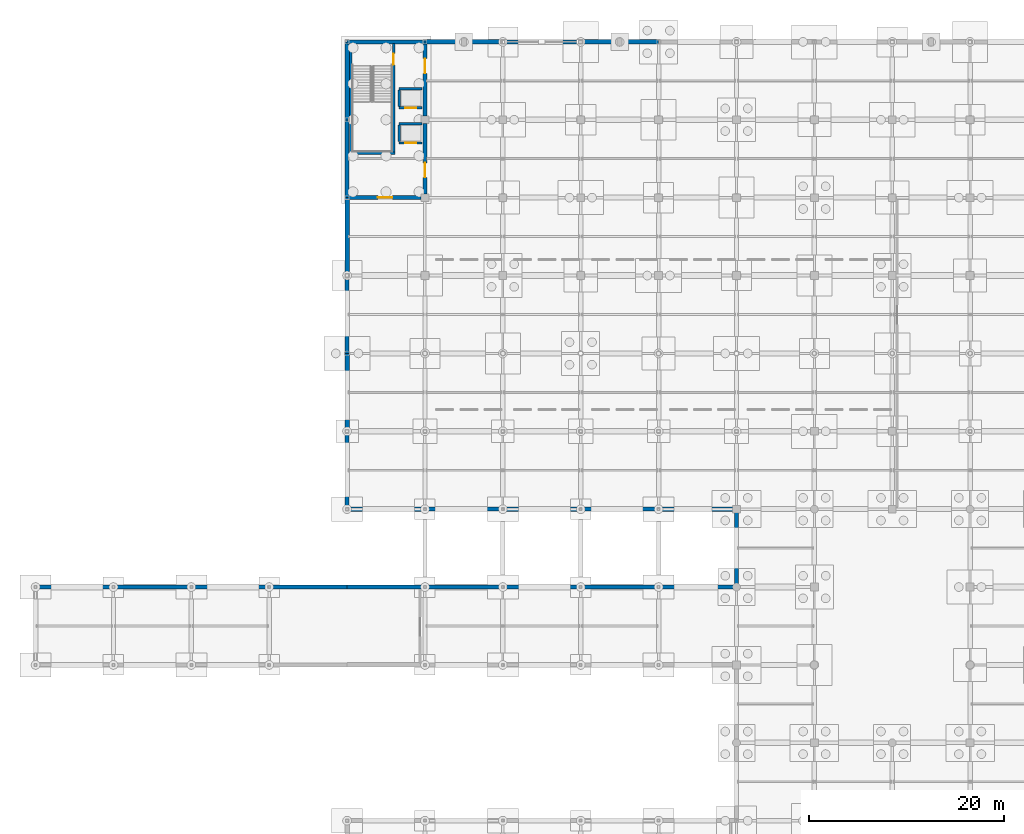
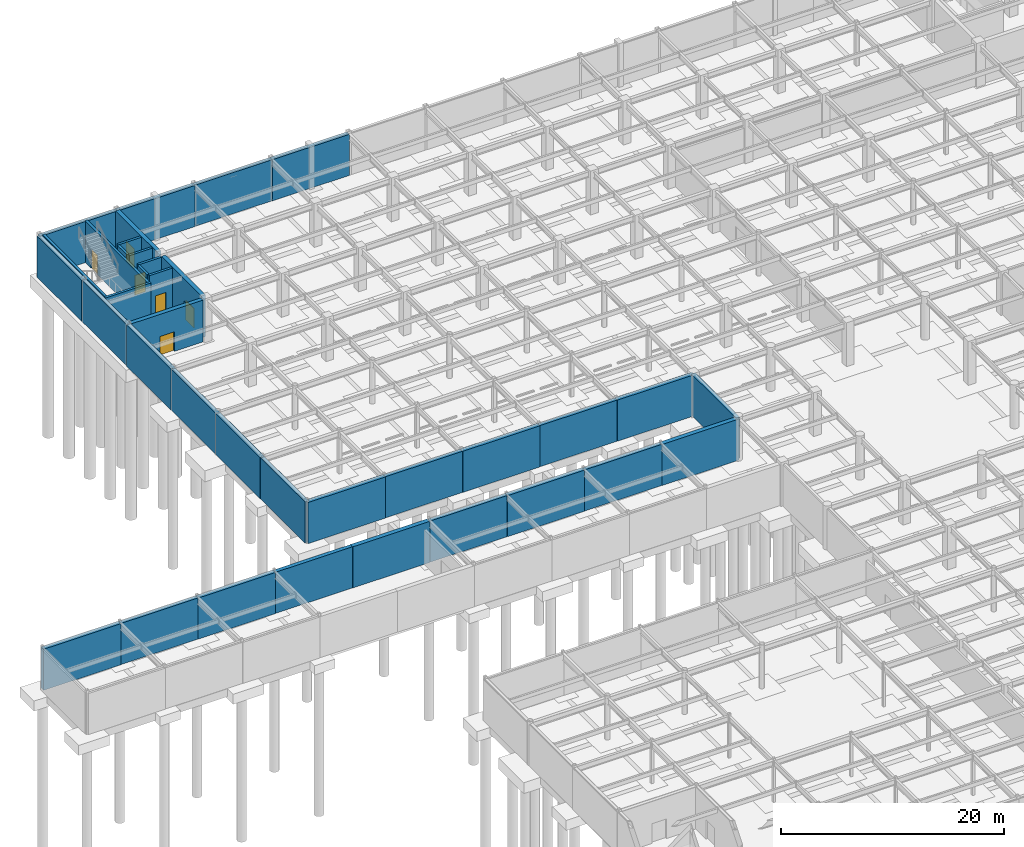
# One storey, part 58 of 105: 37 walls, 6 doors, 6 openings.
"""IFC4 building model written with IfcOpenShell, lengths in metres."""

from ifc_helpers import new_model, si_unit, direction, frame, frame_2d, origin, place, context, subcontext, project, spatial, rectangle, extrude, material, layer, layer_set, type_object, element, fill, save


model = new_model("IFC4")

# Units and contexts
model_context = context("Model", 3, precision=1e-05, world=origin(), true_north=direction((0.0, 1.0)))
body_context = subcontext(model_context, "Body", "Model", "MODEL_VIEW")
ifc_project = project(units=[si_unit("LENGTHUNIT", "METRE"), si_unit("AREAUNIT", "SQUARE_METRE"), si_unit("VOLUMEUNIT", "CUBIC_METRE"), si_unit("PLANEANGLEUNIT", "RADIAN"), si_unit("MASSUNIT", "GRAM", prefix="KILO")], contexts=[model_context])

# Site, building, storey
site_placement = place(None, origin())
site = spatial("IfcSite", under=ifc_project, at=site_placement, CompositionType="ELEMENT")
building_placement = place(site_placement, origin())
building = spatial("IfcBuilding", under=site, at=building_placement, Name="Solmirada Galleria", CompositionType="ELEMENT")
storey_placement = place(building_placement, frame((0.0, 0.0, -4.800048828125)))
storey = spatial("IfcBuildingStorey", under=building, at=storey_placement, Name="B1", CompositionType="ELEMENT", Elevation=-4.800048828125)

# Wall, opening, door
ifc_material_1 = material(Name="Concrete C40/50", Category="concrete")
ifc_layer_1 = layer(ifc_material_1, 0.419921875)
ifc_layer_set_1 = layer_set([ifc_layer_1], Name="Concrete C40/50")
wall_type_1 = type_object("IfcWallType", Name="WL-CORE-420", PredefinedType="SHEAR", material=ifc_layer_set_1)
wall_1_placement = place(storey_placement, frame((40.202880859375, 104.0, 0.0), z_axis=(0.0, 0.0, 1.0), x_axis=(1.0, 0.0, 0.0)))
wall_1 = element("IfcWall", 1, at=wall_1_placement, inside=storey, type_object=wall_type_1, Name="Core C1 shear wall B1 S1", PredefinedType="SHEAR", context=body_context, shape_type="SweptSolid", body=[
    extrude(rectangle(XDim=7.397216796875, YDim=0.419921875, at=frame_2d((3.69873046875, 0.0))), origin(), (0.0, 0.0, 1.0), 4.580078125),
])
opening_1_placement = place(wall_1_placement, frame((2.947998046875, 0.0, 0.0)))
opening_1 = element("IfcOpeningElement", 2, at=opening_1_placement, cuts=wall_1, Name="Opening LDY-102", PredefinedType="OPENING", context=body_context, shape_type="SweptSolid", body=[
    extrude(rectangle(XDim=1.5, YDim=2.14990234375, at=frame_2d((0.75, 1.074951171875))), frame((0.0, 0.219970703125, 0.0), z_axis=(0.0, -1.0, 0.0), x_axis=(1.0, 0.0, 0.0)), (0.0, 0.0, 1.0), 0.43994140625),
])
ifc_material_2 = material(Name="Fire-rated painted steel door assembly", Category="steel")
door_type_1 = type_object("IfcDoorType", Name="DR-LOBBY-150X215", OperationType="DOUBLE_DOOR_SINGLE_SWING", PredefinedType="DOOR", material=ifc_material_2)
door_1_placement = place(opening_1_placement, origin())
door_1 = element("IfcDoor", 3, at=door_1_placement, inside=storey, type_object=door_type_1, Name="Core C1 lobby access fire door LDY-102", OperationType="DOUBLE_DOOR_SINGLE_SWING", OverallHeight=2.14990234375, OverallWidth=1.5, PredefinedType="DOOR", context=body_context, shape_type="SweptSolid", body=[
    extrude(rectangle(XDim=1.5, YDim=2.14990234375, at=frame_2d((0.75, 1.074951171875))), frame((0.0, 0.02490234375, 0.0), z_axis=(0.0, -1.0, 0.0), x_axis=(1.0, 0.0, 0.0)), (0.0, 0.0, 1.0), 0.050048828125),
])
fill(opening_1, door_1)

wall_2_placement = place(storey_placement, frame((48.0, 104.39990234375, 0.0), z_axis=(0.0, 0.0, 1.0), x_axis=(0.0, 1.0, 0.0)))
wall_2 = element("IfcWall", 4, at=wall_2_placement, inside=storey, type_object=wall_type_1, Name="Core C1 shear wall B1 E1", PredefinedType="SHEAR", context=body_context, shape_type="SweptSolid", body=[
    extrude(rectangle(XDim=7.2001953125, YDim=0.419921875, at=frame_2d((3.60009765625, 0.0))), origin(), (0.0, 0.0, 1.0), 4.580078125),
])
opening_2_placement = place(wall_2_placement, frame((1.675048828125, 0.0, 0.0)))
opening_2 = element("IfcOpeningElement", 5, at=opening_2_placement, cuts=wall_2, Name="Opening LDY-103", PredefinedType="OPENING", context=body_context, shape_type="SweptSolid", body=[
    extrude(rectangle(XDim=1.5, YDim=2.14990234375, at=frame_2d((0.75, 1.074951171875))), frame((0.0, 0.219970703125, 0.0), z_axis=(0.0, -1.0, 0.0), x_axis=(1.0, 0.0, 0.0)), (0.0, 0.0, 1.0), 0.43994140625),
])
door_2_placement = place(opening_2_placement, origin())
door_2 = element("IfcDoor", 6, at=door_2_placement, inside=storey, type_object=door_type_1, Name="Core C1 lobby access fire door LDY-103", OperationType="DOUBLE_DOOR_SINGLE_SWING", OverallHeight=2.14990234375, OverallWidth=1.5, PredefinedType="DOOR", context=body_context, shape_type="SweptSolid", body=[
    extrude(rectangle(XDim=1.5, YDim=2.14990234375, at=frame_2d((0.75, 1.074951171875))), frame((0.0, 0.02490234375, 0.0), z_axis=(0.0, -1.0, 0.0), x_axis=(1.0, 0.0, 0.0)), (0.0, 0.0, 1.0), 0.050048828125),
])
fill(opening_2, door_2)

wall_3_placement = place(storey_placement, frame((48.0, 112.39990234375, 0.0), z_axis=(0.0, 0.0, 1.0), x_axis=(0.0, 1.0, 0.0)))
wall_3 = element("IfcWall", 7, at=wall_3_placement, inside=storey, type_object=wall_type_1, Name="Core C1 shear wall B1 E2", PredefinedType="SHEAR", context=body_context, shape_type="SweptSolid", body=[
    extrude(rectangle(XDim=7.397216796875, YDim=0.419921875, at=frame_2d((3.69873046875, 0.0))), origin(), (0.0, 0.0, 1.0), 4.580078125),
])
opening_3_placement = place(wall_3_placement, frame((4.373046875, 0.0, 0.0)))
opening_3 = element("IfcOpeningElement", 8, at=opening_3_placement, cuts=wall_3, Name="Opening LDY-104", PredefinedType="OPENING", context=body_context, shape_type="SweptSolid", body=[
    extrude(rectangle(XDim=1.5, YDim=2.14990234375, at=frame_2d((0.75, 1.074951171875))), frame((0.0, 0.219970703125, 0.0), z_axis=(0.0, -1.0, 0.0), x_axis=(1.0, 0.0, 0.0)), (0.0, 0.0, 1.0), 0.43994140625),
])
door_3_placement = place(opening_3_placement, origin())
door_3 = element("IfcDoor", 9, at=door_3_placement, inside=storey, type_object=door_type_1, Name="Core C1 lobby access fire door LDY-104", OperationType="DOUBLE_DOOR_SINGLE_SWING", OverallHeight=2.14990234375, OverallWidth=1.5, PredefinedType="DOOR", context=body_context, shape_type="SweptSolid", body=[
    extrude(rectangle(XDim=1.5, YDim=2.14990234375, at=frame_2d((0.75, 1.074951171875))), frame((0.0, 0.02490234375, 0.0), z_axis=(0.0, -1.0, 0.0), x_axis=(1.0, 0.0, 0.0)), (0.0, 0.0, 1.0), 0.050048828125),
])
fill(opening_3, door_3)

ifc_layer_2 = layer(ifc_material_1, 0.239990234375)
ifc_layer_set_2 = layer_set([ifc_layer_2], Name="Concrete C40/50")
wall_type_2 = type_object("IfcWallType", Name="WL-HOIST-240", PredefinedType="PARTITIONING", material=ifc_layer_set_2)
wall_4_placement = place(storey_placement, frame((45.344970703125, 113.219970703125, 0.0), z_axis=(0.0, 0.0, 1.0), x_axis=(1.0, 0.0, 0.0)))
wall_4 = element("IfcWall", 10, at=wall_4_placement, inside=storey, type_object=wall_type_2, Name="Lift LP1 hoistway front wall B1", PredefinedType="PARTITIONING", context=body_context, shape_type="SweptSolid", body=[
    extrude(rectangle(XDim=2.375, YDim=0.239990234375, at=frame_2d((1.1875, 0.0))), origin(), (0.0, 0.0, 1.0), 4.580078125),
])
opening_4_placement = place(wall_4_placement, frame((0.636962890625, 0.0, 0.0)))
opening_4 = element("IfcOpeningElement", 11, at=opening_4_placement, cuts=wall_4, Name="Opening LD-LP1-B1", PredefinedType="OPENING", context=body_context, shape_type="SweptSolid", body=[
    extrude(rectangle(XDim=1.10009765625, YDim=2.14990234375, at=frame_2d((0.550048828125, 1.074951171875))), frame((0.0, 0.1298828125, 0.0), z_axis=(0.0, -1.0, 0.0), x_axis=(1.0, 0.0, 0.0)), (0.0, 0.0, 1.0), 0.260009765625),
])
ifc_material_3 = material(Name="Brushed stainless-steel sliding landing door", Category="steel")
door_type_2 = type_object("IfcDoorType", Name="DR-LIFT-110X215", OperationType="SLIDING_TO_LEFT", PredefinedType="DOOR", material=ifc_material_3)
door_4_placement = place(opening_4_placement, origin())
door_4 = element("IfcDoor", 12, at=door_4_placement, inside=storey, type_object=door_type_2, Name="Lift LP1 sliding landing door B1", OperationType="SLIDING_TO_LEFT", OverallHeight=2.14990234375, OverallWidth=1.10009765625, PredefinedType="DOOR", context=body_context, shape_type="SweptSolid", body=[
    extrude(rectangle(XDim=1.10009765625, YDim=2.14990234375, at=frame_2d((0.550048828125, 1.074951171875))), frame((0.0, 0.02490234375, 0.0), z_axis=(0.0, -1.0, 0.0), x_axis=(1.0, 0.0, 0.0)), (0.0, 0.0, 1.0), 0.050048828125),
])
fill(opening_4, door_4)

# Walls
wall_5_placement = place(storey_placement, frame((45.344970703125, 115.179931640625, 0.0), z_axis=(0.0, 0.0, 1.0), x_axis=(1.0, 0.0, 0.0)))
element("IfcWall", 13, at=wall_5_placement, inside=storey, type_object=wall_type_2, Name="Lift LP1 hoistway rear wall B1", PredefinedType="PARTITIONING", context=body_context, shape_type="SweptSolid", body=[
    extrude(rectangle(XDim=2.375, YDim=0.239990234375, at=frame_2d((1.1875, 0.0))), origin(), (0.0, 0.0, 1.0), 4.580078125),
])
wall_6_placement = place(storey_placement, frame((45.344970703125, 113.360107421875, 0.0), z_axis=(0.0, 0.0, 1.0), x_axis=(0.0, 1.0, 0.0)))
element("IfcWall", 14, at=wall_6_placement, inside=storey, type_object=wall_type_2, Name="Lift LP1 hoistway side wall L B1", PredefinedType="PARTITIONING", context=body_context, shape_type="SweptSolid", body=[
    extrude(rectangle(XDim=1.679931640625, YDim=0.239990234375, at=frame_2d((0.83984375, 0.0))), origin(), (0.0, 0.0, 1.0), 4.580078125),
])

# Wall, opening, door
wall_7_placement = place(storey_placement, frame((45.344970703125, 109.6201171875, 0.0), z_axis=(0.0, 0.0, 1.0), x_axis=(1.0, 0.0, 0.0)))
wall_7 = element("IfcWall", 15, at=wall_7_placement, inside=storey, type_object=wall_type_2, Name="Lift LP2 hoistway front wall B1", PredefinedType="PARTITIONING", context=body_context, shape_type="SweptSolid", body=[
    extrude(rectangle(XDim=2.375, YDim=0.239990234375, at=frame_2d((1.1875, 0.0))), origin(), (0.0, 0.0, 1.0), 4.580078125),
])
opening_5_placement = place(wall_7_placement, frame((0.636962890625, 0.0, 0.0)))
opening_5 = element("IfcOpeningElement", 16, at=opening_5_placement, cuts=wall_7, Name="Opening LD-LP2-B1", PredefinedType="OPENING", context=body_context, shape_type="SweptSolid", body=[
    extrude(rectangle(XDim=1.10009765625, YDim=2.14990234375, at=frame_2d((0.550048828125, 1.074951171875))), frame((0.0, 0.1298828125, 0.0), z_axis=(0.0, -1.0, 0.0), x_axis=(1.0, 0.0, 0.0)), (0.0, 0.0, 1.0), 0.260009765625),
])
door_5_placement = place(opening_5_placement, origin())
door_5 = element("IfcDoor", 17, at=door_5_placement, inside=storey, type_object=door_type_2, Name="Lift LP2 sliding landing door B1", OperationType="SLIDING_TO_LEFT", OverallHeight=2.14990234375, OverallWidth=1.10009765625, PredefinedType="DOOR", context=body_context, shape_type="SweptSolid", body=[
    extrude(rectangle(XDim=1.10009765625, YDim=2.14990234375, at=frame_2d((0.550048828125, 1.074951171875))), frame((0.0, 0.02490234375, 0.0), z_axis=(0.0, -1.0, 0.0), x_axis=(1.0, 0.0, 0.0)), (0.0, 0.0, 1.0), 0.050048828125),
])
fill(opening_5, door_5)

# Walls
wall_8_placement = place(storey_placement, frame((45.344970703125, 111.580078125, 0.0), z_axis=(0.0, 0.0, 1.0), x_axis=(1.0, 0.0, 0.0)))
element("IfcWall", 18, at=wall_8_placement, inside=storey, type_object=wall_type_2, Name="Lift LP2 hoistway rear wall B1", PredefinedType="PARTITIONING", context=body_context, shape_type="SweptSolid", body=[
    extrude(rectangle(XDim=2.375, YDim=0.239990234375, at=frame_2d((1.1875, 0.0))), origin(), (0.0, 0.0, 1.0), 4.580078125),
])
wall_9_placement = place(storey_placement, frame((45.344970703125, 109.760009765625, 0.0), z_axis=(0.0, 0.0, 1.0), x_axis=(0.0, 1.0, 0.0)))
element("IfcWall", 19, at=wall_9_placement, inside=storey, type_object=wall_type_2, Name="Lift LP2 hoistway side wall L B1", PredefinedType="PARTITIONING", context=body_context, shape_type="SweptSolid", body=[
    extrude(rectangle(XDim=1.679931640625, YDim=0.239990234375, at=frame_2d((0.83984375, 0.0))), origin(), (0.0, 0.0, 1.0), 4.580078125),
])
ifc_material_4 = material(Name="Concrete C35/45", Category="concrete")
ifc_layer_3 = layer(ifc_material_4, 0.39990234375)
ifc_layer_set_3 = layer_set([ifc_layer_3], Name="Concrete C35/45")
wall_type_3 = type_object("IfcWallType", Name="WL-RET-400", PredefinedType="USERDEFINED", material=ifc_layer_set_3)
for number, where, z_axis, x_axis, name in (
    (20, (16.0, 64.0, 0.0), (0.0, 0.0, 1.0), (1.0, 0.0, 0.0), "Basement retaining wall 041"),
    (21, (32.0, 64.0, 0.0), (0.0, 0.0, 1.0), (1.0, 0.0, 0.0), "Basement retaining wall 043"),
    (22, (48.0, 64.0, 0.0), (0.0, 0.0, 1.0), (1.0, 0.0, 0.0), "Basement retaining wall 045"),
    (23, (64.0, 64.0, 0.0), (0.0, 0.0, 1.0), (1.0, 0.0, 0.0), "Basement retaining wall 047"),
    (24, (80.0, 64.0, 0.0), (0.0, 0.0, 1.0), (0.0, 1.0, 0.0), "Basement retaining wall 049"),
    (25, (72.0, 72.0, 0.0), (0.0, 0.0, 1.0), (-1.0, 0.0, 0.0), "Basement retaining wall 051"),
    (26, (56.0, 72.0, 0.0), (0.0, 0.0, 1.0), (-1.0, 0.0, 0.0), "Basement retaining wall 053"),
    (27, (40.0, 72.0, 0.0), (0.0, 0.0, 1.0), (0.0, 1.0, 0.0), "Basement retaining wall 055"),
    (28, (40.0, 88.0, 0.0), (0.0, 0.0, 1.0), (0.0, 1.0, 0.0), "Basement retaining wall 057"),
    (29, (40.0, 104.0, 0.0), (0.0, 0.0, 1.0), (0.0, 1.0, 0.0), "Basement retaining wall 059"),
    (30, (40.0, 120.0, 0.0), (0.0, 0.0, 1.0), (1.0, 0.0, 0.0), "Basement retaining wall 061"),
    (31, (56.0, 120.0, 0.0), (0.0, 0.0, 1.0), (1.0, 0.0, 0.0), "Basement retaining wall 063"),
):
    element("IfcWall", number, at=place(storey_placement, frame(where, z_axis=z_axis, x_axis=x_axis)), inside=storey, type_object=wall_type_3, Name=name, ObjectType="RETAININGWALL", PredefinedType="USERDEFINED", context=body_context, shape_type="SweptSolid", body=[
        extrude(rectangle(XDim=8.0, YDim=0.39990234375, at=frame_2d((4.0, 0.0))), origin(), (0.0, 0.0, 1.0), 4.5),
    ])
ifc_layer_4 = layer(ifc_material_4, 0.449951171875)
ifc_layer_set_4 = layer_set([ifc_layer_4], Name="Concrete C35/45")
wall_type_4 = type_object("IfcWallType", Name="WL-RET-450", PredefinedType="USERDEFINED", material=ifc_layer_set_4)
for number, where, z_axis, x_axis, name in (
    (32, (8.0, 64.0, 0.0), (0.0, 0.0, 1.0), (1.0, 0.0, 0.0), "Basement retaining wall 040"),
    (33, (24.0, 64.0, 0.0), (0.0, 0.0, 1.0), (1.0, 0.0, 0.0), "Basement retaining wall 042"),
    (34, (40.0, 64.0, 0.0), (0.0, 0.0, 1.0), (1.0, 0.0, 0.0), "Basement retaining wall 044"),
    (35, (56.0, 64.0, 0.0), (0.0, 0.0, 1.0), (1.0, 0.0, 0.0), "Basement retaining wall 046"),
    (36, (72.0, 64.0, 0.0), (0.0, 0.0, 1.0), (1.0, 0.0, 0.0), "Basement retaining wall 048"),
    (37, (80.0, 72.0, 0.0), (0.0, 0.0, 1.0), (-1.0, 0.0, 0.0), "Basement retaining wall 050"),
    (38, (64.0, 72.0, 0.0), (0.0, 0.0, 1.0), (-1.0, 0.0, 0.0), "Basement retaining wall 052"),
    (39, (48.0, 72.0, 0.0), (0.0, 0.0, 1.0), (-1.0, 0.0, 0.0), "Basement retaining wall 054"),
    (40, (40.0, 80.0, 0.0), (0.0, 0.0, 1.0), (0.0, 1.0, 0.0), "Basement retaining wall 056"),
    (41, (40.0, 96.0, 0.0), (0.0, 0.0, 1.0), (0.0, 1.0, 0.0), "Basement retaining wall 058"),
    (42, (40.0, 112.0, 0.0), (0.0, 0.0, 1.0), (0.0, 1.0, 0.0), "Basement retaining wall 060"),
    (43, (48.0, 120.0, 0.0), (0.0, 0.0, 1.0), (1.0, 0.0, 0.0), "Basement retaining wall 062"),
    (44, (64.0, 120.0, 0.0), (0.0, 0.0, 1.0), (1.0, 0.0, 0.0), "Basement retaining wall 064"),
):
    element("IfcWall", number, at=place(storey_placement, frame(where, z_axis=z_axis, x_axis=x_axis)), inside=storey, type_object=wall_type_4, Name=name, ObjectType="RETAININGWALL", PredefinedType="USERDEFINED", context=body_context, shape_type="SweptSolid", body=[
        extrude(rectangle(XDim=8.0, YDim=0.449951171875, at=frame_2d((4.0, 0.0))), origin(), (0.0, 0.0, 1.0), 4.5),
    ])
ifc_layer_5 = layer(ifc_material_1, 0.260009765625)
ifc_layer_set_5 = layer_set([ifc_layer_5], Name="Concrete C40/50")
wall_type_5 = type_object("IfcWallType", Name="WL-SHAFT-260", PredefinedType="SHEAR", material=ifc_layer_set_5)
wall_10_placement = place(storey_placement, frame((40.199951171875, 108.570068359375, 0.0), z_axis=(0.0, 0.0, 1.0), x_axis=(1.0, 0.0, 0.0)))
element("IfcWall", 45, at=wall_10_placement, inside=storey, type_object=wall_type_5, Name="Stair ST1 enclosure wall B1 S", PredefinedType="SHEAR", context=body_context, shape_type="SweptSolid", body=[
    extrude(rectangle(XDim=4.7099609375, YDim=0.260009765625, at=frame_2d((2.35498046875, 0.0))), origin(), (0.0, 0.0, 1.0), 4.580078125),
])
wall_11_placement = place(storey_placement, frame((40.3701171875, 108.699951171875, 0.0), z_axis=(0.0, 0.0, 1.0), x_axis=(0.0, 1.0, 0.0)))
element("IfcWall", 46, at=wall_11_placement, inside=storey, type_object=wall_type_5, Name="Stair ST1 enclosure wall B1 W", PredefinedType="SHEAR", context=body_context, shape_type="SweptSolid", body=[
    extrude(rectangle(XDim=11.155029296875, YDim=0.260009765625, at=frame_2d((5.57763671875, 0.0))), origin(), (0.0, 0.0, 1.0), 4.580078125),
])

# Wall, opening, door
wall_12_placement = place(storey_placement, frame((44.780029296875, 108.699951171875, 0.0), z_axis=(0.0, 0.0, 1.0), x_axis=(0.0, 1.0, 0.0)))
wall_12 = element("IfcWall", 47, at=wall_12_placement, inside=storey, type_object=wall_type_5, Name="Stair ST1 enclosure wall B1 E", PredefinedType="SHEAR", context=body_context, shape_type="SweptSolid", body=[
    extrude(rectangle(XDim=11.155029296875, YDim=0.260009765625, at=frame_2d((5.57763671875, 0.0))), origin(), (0.0, 0.0, 1.0), 4.580078125),
])
opening_6_placement = place(wall_12_placement, frame((8.949951171875, 0.0, 0.0)))
opening_6 = element("IfcOpeningElement", 48, at=opening_6_placement, cuts=wall_12, Name="Opening SD-101", PredefinedType="OPENING", context=body_context, shape_type="SweptSolid", body=[
    extrude(rectangle(XDim=1.14990234375, YDim=2.14990234375, at=frame_2d((0.574951171875, 1.074951171875))), frame((0.0, 0.139892578125, 0.0), z_axis=(0.0, -1.0, 0.0), x_axis=(1.0, 0.0, 0.0)), (0.0, 0.0, 1.0), 0.280029296875),
])
door_type_3 = type_object("IfcDoorType", Name="DR-STAIR-115X215", OperationType="NOTDEFINED", PredefinedType="DOOR", material=ifc_material_2)
door_6_placement = place(opening_6_placement, origin())
door_6 = element("IfcDoor", 49, at=door_6_placement, inside=storey, type_object=door_type_3, Name="Exit stair ST1 enclosure fire door SD-101", OperationType="SINGLE_SWING_RIGHT", OverallHeight=2.14990234375, OverallWidth=1.14990234375, PredefinedType="DOOR", context=body_context, shape_type="SweptSolid", body=[
    extrude(rectangle(XDim=1.14990234375, YDim=2.14990234375, at=frame_2d((0.574951171875, 1.074951171875))), frame((0.0, 0.02490234375, 0.0), z_axis=(0.0, -1.0, 0.0), x_axis=(1.0, 0.0, 0.0)), (0.0, 0.0, 1.0), 0.050048828125),
])
fill(opening_6, door_6)

save(model, "model.ifc")
